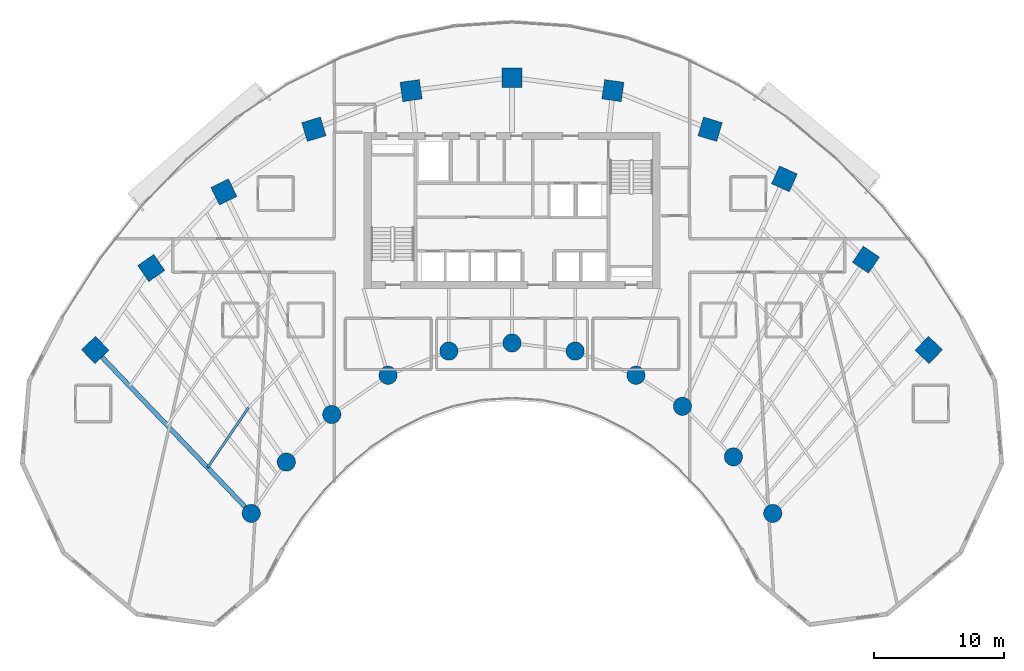
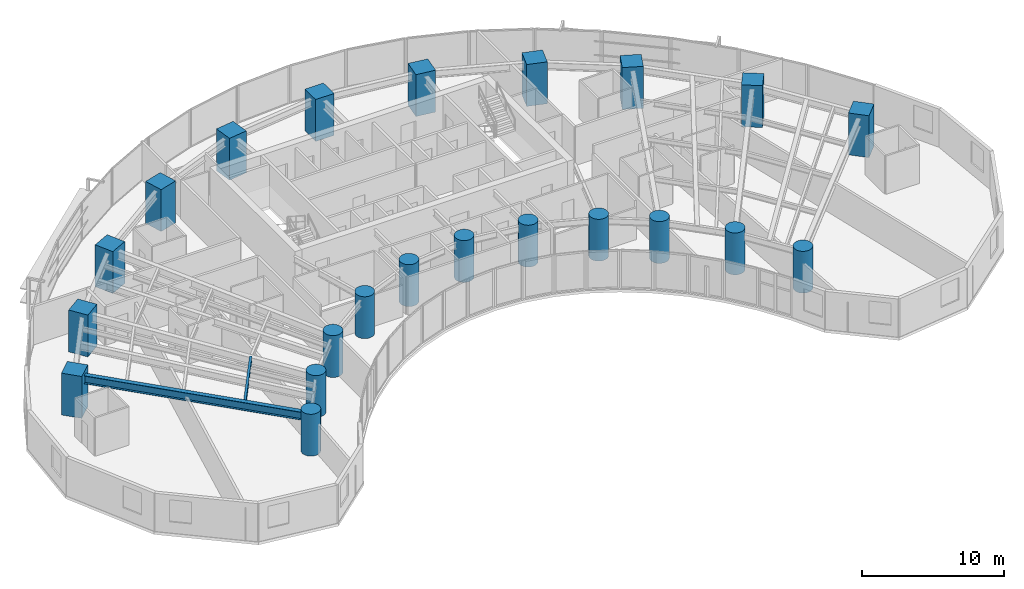
# One storey, part 1 of 17: 22 columns, 2 beams.
"""IFC4 building model written with IfcOpenShell, lengths in metres."""

from ifc_helpers import new_model, si_unit, direction, frame, origin, origin_2d, place, context, subcontext, project, spatial, rectangle, circle, i_section, extrude, source, transform, mapped, material, material_profile, profile_set, type_object, type_shapes, element, save


model = new_model("IFC4")

# Units and contexts
model_context = context("Model", 3, precision=1e-05, world=origin(), true_north=direction((0.0, 1.0)))
body_context = subcontext(model_context, "Body", "Model", "MODEL_VIEW")
ifc_project = project(units=[si_unit("LENGTHUNIT", "METRE"), si_unit("AREAUNIT", "SQUARE_METRE"), si_unit("VOLUMEUNIT", "CUBIC_METRE"), si_unit("PLANEANGLEUNIT", "RADIAN"), si_unit("MASSUNIT", "GRAM", prefix="KILO")], contexts=[model_context])

# Site, building, storey
site_placement = place(None, origin())
site = spatial("IfcSite", under=ifc_project, at=site_placement, CompositionType="ELEMENT")
building_placement = place(site_placement, origin())
building = spatial("IfcBuilding", under=site, at=building_placement, Name="Breltana Convention Tower", CompositionType="ELEMENT")
storey_placement = place(building_placement, frame((0.0, 0.0, 82.199951171875)))
storey = spatial("IfcBuildingStorey", under=building, at=storey_placement, Name="L19", CompositionType="ELEMENT", Elevation=82.199951171875)

# Columns
ifc_material_1 = material(Name="Concrete C60/75", Category="concrete")
ifc_material_profile_1 = material_profile(ifc_material_1, circle(Radius=0.699951171875, at=origin_2d()), Name="RC-COL-D1400")
ifc_profile_set_1 = profile_set([ifc_material_profile_1], Name="Concrete C60/75")
column_type_1 = type_object("IfcColumnType", Name="COL-RC-D1400", PredefinedType="COLUMN", material=ifc_profile_set_1)
shared_shape_1 = source(origin(), body_context, "Body", "SweptSolid", [
    extrude(circle(Radius=0.699951171875, at=origin_2d()), origin(), (0.0, 0.0, 1.0), 3.60009765625),
])
for number, where, z_axis, x_axis, name in (
    (1, (27.984619140625, 42.95458984375, 0.0), (0.0, 0.0, 1.0), (-0.690756218984, 0.723087716626, 0.0), "L19 Tower Column R01-IN"),
    (2, (30.67724609375, 46.892333984375, 0.0), (0.0, 0.0, 1.0), (-0.571143442153, 0.820850271661, 0.0), "L19 Tower Column R02-IN"),
    (3, (34.166259765625, 50.544921875, 0.0), (0.0, 0.0, 1.0), (-0.436173672171, 0.899862504889, 0.0), "L19 Tower Column R03-IN"),
    (4, (38.485107421875, 53.5576171875, 0.0), (0.0, 0.0, 1.0), (-0.288697611798, 0.957420330337, 0.0), "L19 Tower Column R04-IN"),
    (5, (43.153564453125, 55.41064453125, 0.0), (0.0, 0.0, 1.0), (-0.143492621991, 0.98965138682, 0.0), "L19 Tower Column R05-IN"),
    (6, (48.0, 56.035888671875, 0.0), (0.0, 0.0, 1.0), (0.0, 1.0, 0.0), "L19 Tower Column R06-IN"),
    (7, (52.846435546875, 55.41064453125, 0.0), (0.0, 0.0, 1.0), (0.143492621991, 0.98965138682, 0.0), "L19 Tower Column R07-IN"),
    (8, (57.514892578125, 53.5576171875, 0.0), (0.0, 0.0, 1.0), (0.288697611798, 0.957420330337, 0.0), "L19 Tower Column R08-IN"),
    (9, (61.08203125, 51.174560546875, 0.0), (0.0, 0.0, 1.0), (0.409126902895, 0.912477494148, 0.0), "L19 Tower Column R09-IN"),
    (10, (64.995849609375, 47.293701171875, 0.0), (0.0, 0.0, 1.0), (0.55774510898, 0.830012285095, 0.0), "L19 Tower Column R10-IN"),
    (11, (68.015380859375, 42.95458984375, 0.0), (0.0, 0.0, 1.0), (0.690756218984, 0.723087716626, 0.0), "L19 Tower Column R11-IN"),
):
    element("IfcColumn", number, at=place(storey_placement, frame(where, z_axis=z_axis, x_axis=x_axis)), inside=storey, type_object=column_type_1, Name=name, PredefinedType="COLUMN", context=body_context, shape_type="MappedRepresentation", body=[
        mapped(shared_shape_1, transform((0.0, 0.0, 0.0), scale=1.0)),
    ])
ifc_material_profile_2 = material_profile(ifc_material_1, rectangle(XDim=1.5, YDim=1.5, at=origin_2d()), Name="RC-COL-1500X1500")
ifc_profile_set_2 = profile_set([ifc_material_profile_2], Name="Concrete C60/75")
column_type_2 = type_object("IfcColumnType", Name="COL-RC-1500", PredefinedType="COLUMN", material=ifc_profile_set_2)
shared_shape_2 = source(origin(), body_context, "Body", "SweptSolid", [
    extrude(rectangle(XDim=1.5, YDim=1.5, at=origin_2d()), origin(), (0.0, 0.0, 1.0), 3.60009765625),
])
for number, where, z_axis, x_axis, name in (
    (12, (16.0068359375, 55.494384765625, 0.0), (0.0, 0.0, 1.0), (-0.690756218984, 0.723087716626, 0.0), "L19 Tower Column R01-OUT"),
    (13, (20.310791015625, 61.78857421875, 0.0), (0.0, 0.0, 1.0), (-0.571143442153, 0.820850271661, 0.0), "L19 Tower Column R02-OUT"),
    (14, (25.8876953125, 67.626953125, 0.0), (0.0, 0.0, 1.0), (-0.436173672171, 0.899862504889, 0.0), "L19 Tower Column R03-OUT"),
    (15, (32.791015625, 72.4423828125, 0.0), (0.0, 0.0, 1.0), (-0.288697611798, 0.957420330337, 0.0), "L19 Tower Column R04-OUT"),
    (16, (40.253173828125, 75.404296875, 0.0), (0.0, 0.0, 1.0), (-0.143492621991, 0.98965138682, 0.0), "L19 Tower Column R05-OUT"),
    (17, (48.0, 76.404052734375, 0.0), (0.0, 0.0, 1.0), (0.0, 1.0, 0.0), "L19 Tower Column R06-OUT"),
    (18, (55.746826171875, 75.404296875, 0.0), (0.0, 0.0, 1.0), (0.143492621991, 0.98965138682, 0.0), "L19 Tower Column R07-OUT"),
    (19, (63.208984375, 72.4423828125, 0.0), (0.0, 0.0, 1.0), (0.288697611798, 0.957420330337, 0.0), "L19 Tower Column R08-OUT"),
    (20, (68.910400390625, 68.63330078125, 0.0), (0.0, 0.0, 1.0), (0.409126902895, 0.912477494148, 0.0), "L19 Tower Column R09-OUT"),
    (21, (75.166748046875, 62.43017578125, 0.0), (0.0, 0.0, 1.0), (0.55774510898, 0.830012285095, 0.0), "L19 Tower Column R10-OUT"),
    (22, (79.9931640625, 55.494384765625, 0.0), (0.0, 0.0, 1.0), (0.690756218984, 0.723087716626, 0.0), "L19 Tower Column R11-OUT"),
):
    element("IfcColumn", number, at=place(storey_placement, frame(where, z_axis=z_axis, x_axis=x_axis)), inside=storey, type_object=column_type_2, Name=name, PredefinedType="COLUMN", context=body_context, shape_type="MappedRepresentation", body=[
        mapped(shared_shape_2, transform((0.0, 0.0, 0.0), scale=1.0)),
    ])

# Beams
ifc_material_2 = material(Name="Steel ASTM A992 Grade 50", Category="steel")
ifc_material_profile_3 = material_profile(ifc_material_2, i_section(OverallWidth=0.35498046875, OverallDepth=0.696044921875, WebThickness=0.015380859375, FlangeThickness=0.02490234375, at=origin_2d()), Name="W27X146")
ifc_profile_set_3 = profile_set([ifc_material_profile_3], Name="Steel ASTM A992 Grade 50")
beam_type_1 = type_object("IfcBeamType", Name="BM-RG-W27X146", PredefinedType="USERDEFINED", material=ifc_profile_set_3)
shared_shape_3 = source(origin(), body_context, "Body", "SweptSolid", [
    extrude(i_section(OverallWidth=0.35498046875, OverallDepth=0.696044921875, WebThickness=0.015380859375, FlangeThickness=0.02490234375, at=origin_2d()), origin(), (0.0, 0.0, 1.0), 17.341064453125),
])
type_shapes(beam_type_1, [shared_shape_3])
beam_1_placement = place(storey_placement, frame((27.984619140625, 42.95458984375, 2.93212890625), z_axis=(-0.690716462293, 0.723125693581, 0.0), x_axis=(-0.723125693581, -0.690716462293, 0.0)))
element("IfcBeam", 23, at=beam_1_placement, inside=storey, type_object=beam_type_1, Name="L19 Radial Floor Girder R01", ObjectType="GIRDER", PredefinedType="USERDEFINED", context=body_context, shape_type="MappedRepresentation", body=[
    mapped(shared_shape_3, transform((0.0, 0.0, 0.0), scale=1.0)),
])
ifc_material_profile_4 = material_profile(ifc_material_2, i_section(OverallWidth=0.179931640625, OverallDepth=0.4130859375, WebThickness=0.009765625, FlangeThickness=0.01611328125, at=origin_2d()), Name="W16X50")
ifc_profile_set_4 = profile_set([ifc_material_profile_4], Name="Steel ASTM A992 Grade 50")
beam_type_2 = type_object("IfcBeamType", Name="BM-JSG-08", PredefinedType="JOIST", material=ifc_profile_set_4)
shared_shape_4 = source(origin(), body_context, "Body", "SweptSolid", [
    extrude(i_section(OverallWidth=0.179931640625, OverallDepth=0.4130859375, WebThickness=0.009765625, FlangeThickness=0.01611328125, at=origin_2d()), origin(), (0.0, 0.0, 1.0), 5.569580078125),
])
beam_2_placement = place(storey_placement, frame((24.630615234375, 46.4658203125, 3.073486328125), z_axis=(0.564493760458, 0.825437335237, 0.0), x_axis=(-0.825437335237, 0.564493760458, 0.0)))
element("IfcBeam", 24, at=beam_2_placement, inside=storey, type_object=beam_type_2, Name="L19 Composite Floor Joist 01.1", PredefinedType="JOIST", context=body_context, shape_type="MappedRepresentation", body=[
    mapped(shared_shape_4, transform((0.0, 0.0, 0.0), scale=1.0)),
])

save(model, "model.ifc")
